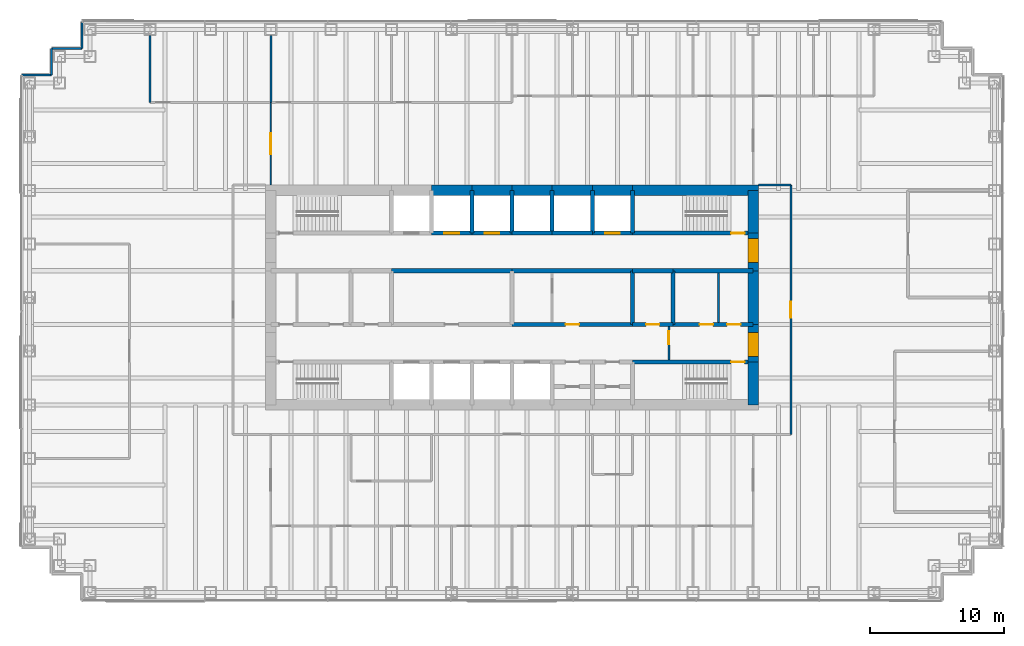
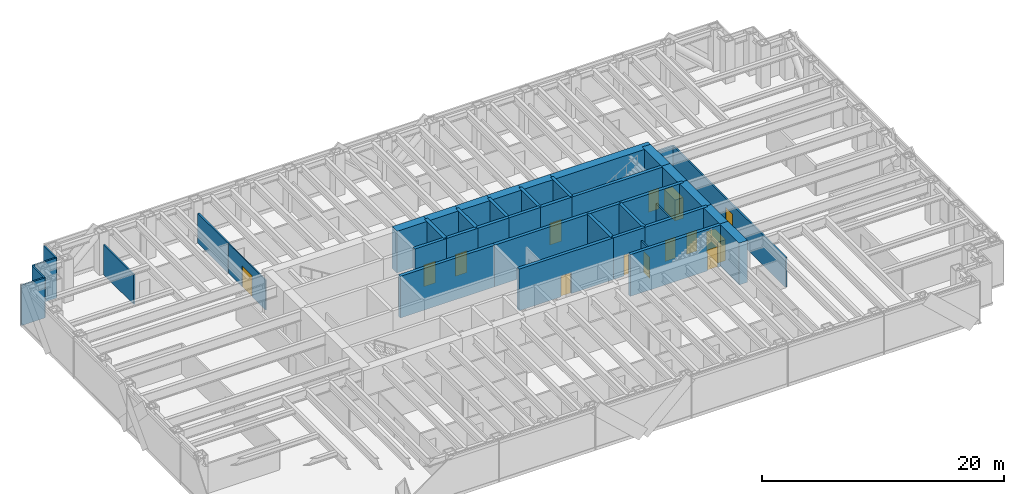
# One storey, part 12 of 15: 43 walls, 14 doors, 14 openings.
"""IFC4 building model written with IfcOpenShell, lengths in metres."""

from ifc_helpers import new_model, si_unit, direction, frame, frame_2d, origin, place, context, subcontext, project, spatial, rectangle, extrude, material, layer, layer_set, type_object, element, fill, save


model = new_model("IFC4")

# Units and contexts
model_context = context("Model", 3, precision=1e-05, world=origin(), true_north=direction((0.0, 1.0)))
body_context = subcontext(model_context, "Body", "Model", "MODEL_VIEW")
ifc_project = project(units=[si_unit("LENGTHUNIT", "METRE"), si_unit("AREAUNIT", "SQUARE_METRE"), si_unit("VOLUMEUNIT", "CUBIC_METRE"), si_unit("PLANEANGLEUNIT", "RADIAN"), si_unit("MASSUNIT", "GRAM", prefix="KILO")], contexts=[model_context])

# Site, building, storey
site_placement = place(None, origin())
site = spatial("IfcSite", under=ifc_project, at=site_placement, CompositionType="ELEMENT")
building_placement = place(site_placement, origin())
building = spatial("IfcBuilding", under=site, at=building_placement, Name="Rheinbord Bourse Tower", CompositionType="ELEMENT")
storey_placement = place(building_placement, frame((0.0, 0.0, 215.199951171875)))
storey = spatial("IfcBuildingStorey", under=building, at=storey_placement, Name="L48", CompositionType="ELEMENT", Elevation=215.199951171875)

# Wall, opening, door
ifc_material_1 = material(Name="Concrete C50/60", Category="concrete")
ifc_layer_1 = layer(ifc_material_1, 0.300048828125)
ifc_layer_set_1 = layer_set([ifc_layer_1], Name="CORE INNER WALL 300")
wall_type_1 = type_object("IfcWallType", Name="CORE INNER WALL 300", PredefinedType="SOLIDWALL", material=ifc_layer_set_1)
wall_1_placement = place(storey_placement, frame((45.0, 19.199951171875, 0.0), z_axis=(0.0, 0.0, 1.0), x_axis=(1.0, 0.0, 0.0)))
wall_1 = element("IfcWall", 1, at=wall_1_placement, inside=storey, type_object=wall_type_1, Name="Core wall A8 L48", PredefinedType="SOLIDWALL", context=body_context, shape_type="SweptSolid", body=[
    extrude(rectangle(XDim=9.0, YDim=0.300048828125, at=frame_2d((4.5, 0.0))), origin(), (0.0, 0.0, 1.0), 4.199951171875),
])
opening_1_placement = place(wall_1_placement, frame((7.35009765625, 0.0, 0.0)))
opening_1 = element("IfcOpeningElement", 2, at=opening_1_placement, cuts=wall_1, Name="Opening 4830", PredefinedType="OPENING", context=body_context, shape_type="SweptSolid", body=[
    extrude(rectangle(XDim=1.0, YDim=2.10009765625, at=frame_2d((0.5, 1.050048828125))), frame((0.0, 0.159912109375, 0.0), z_axis=(0.0, -1.0, 0.0), x_axis=(1.0, 0.0, 0.0)), (0.0, 0.0, 1.0), 0.320068359375),
])
ifc_material_2 = material(Name="Steel door", Category="steel")
door_type_1 = type_object("IfcDoorType", Name="DOOR 1000 EI30", OperationType="SINGLE_SWING_LEFT", PredefinedType="DOOR", material=ifc_material_2)
door_1_placement = place(opening_1_placement, origin())
door_1 = element("IfcDoor", 3, at=door_1_placement, inside=storey, type_object=door_type_1, Name="Stair door ST3 L48", OperationType="SINGLE_SWING_RIGHT", OverallHeight=2.10009765625, OverallWidth=1.0, PredefinedType="DOOR", context=body_context, shape_type="SweptSolid", body=[
    extrude(rectangle(XDim=1.0, YDim=2.10009765625, at=frame_2d((0.5, 1.050048828125))), frame((0.0, 0.02490234375, 0.0), z_axis=(0.0, -1.0, 0.0), x_axis=(1.0, 0.0, 0.0)), (0.0, 0.0, 1.0), 0.050048828125),
])
fill(opening_1, door_1)

wall_2_placement = place(storey_placement, frame((30.0, 28.800048828125, 0.0), z_axis=(0.0, 0.0, 1.0), x_axis=(1.0, 0.0, 0.0)))
wall_2 = element("IfcWall", 4, at=wall_2_placement, inside=storey, type_object=wall_type_1, Name="Core wall B3 L48", PredefinedType="SOLIDWALL", context=body_context, shape_type="SweptSolid", body=[
    extrude(rectangle(XDim=3.0, YDim=0.300048828125, at=frame_2d((1.5, 0.0))), origin(), (0.0, 0.0, 1.0), 4.199951171875),
])
opening_2_placement = place(wall_2_placement, frame((0.949951171875, 0.0, 0.0)))
opening_2 = element("IfcOpeningElement", 5, at=opening_2_placement, cuts=wall_2, Name="Opening PC4", PredefinedType="OPENING", context=body_context, shape_type="SweptSolid", body=[
    extrude(rectangle(XDim=1.10009765625, YDim=2.199951171875, at=frame_2d((0.550048828125, 1.10009765625))), frame((0.0, 0.159912109375, 0.0), z_axis=(0.0, -1.0, 0.0), x_axis=(1.0, 0.0, 0.0)), (0.0, 0.0, 1.0), 0.320068359375),
])
ifc_material_3 = material(Name="Steel landing door", Category="steel")
door_type_2 = type_object("IfcDoorType", Name="LIFT LANDING DOOR 1100", OperationType="DOUBLE_DOOR_SLIDING", PredefinedType="USERDEFINED", material=ifc_material_3)
door_2_placement = place(opening_2_placement, origin())
door_2 = element("IfcDoor", 6, at=door_2_placement, inside=storey, type_object=door_type_2, Name="Lift landing door PC4 L48", ObjectType="LIFT LANDING DOOR", OperationType="DOUBLE_DOOR_SLIDING", OverallHeight=2.199951171875, OverallWidth=1.10009765625, PredefinedType="USERDEFINED", context=body_context, shape_type="SweptSolid", body=[
    extrude(rectangle(XDim=1.10009765625, YDim=2.199951171875, at=frame_2d((0.550048828125, 1.10009765625))), frame((0.0, 0.02490234375, 0.0), z_axis=(0.0, -1.0, 0.0), x_axis=(1.0, 0.0, 0.0)), (0.0, 0.0, 1.0), 0.050048828125),
])
fill(opening_2, door_2)

wall_3_placement = place(storey_placement, frame((33.0, 28.800048828125, 0.0), z_axis=(0.0, 0.0, 1.0), x_axis=(1.0, 0.0, 0.0)))
wall_3 = element("IfcWall", 7, at=wall_3_placement, inside=storey, type_object=wall_type_1, Name="Core wall B4 L48", PredefinedType="SOLIDWALL", context=body_context, shape_type="SweptSolid", body=[
    extrude(rectangle(XDim=3.0, YDim=0.300048828125, at=frame_2d((1.5, 0.0))), origin(), (0.0, 0.0, 1.0), 4.199951171875),
])
opening_3_placement = place(wall_3_placement, frame((0.949951171875, 0.0, 0.0)))
opening_3 = element("IfcOpeningElement", 8, at=opening_3_placement, cuts=wall_3, Name="Opening PC5", PredefinedType="OPENING", context=body_context, shape_type="SweptSolid", body=[
    extrude(rectangle(XDim=1.10009765625, YDim=2.199951171875, at=frame_2d((0.550048828125, 1.10009765625))), frame((0.0, 0.159912109375, 0.0), z_axis=(0.0, -1.0, 0.0), x_axis=(1.0, 0.0, 0.0)), (0.0, 0.0, 1.0), 0.320068359375),
])
door_3_placement = place(opening_3_placement, origin())
door_3 = element("IfcDoor", 9, at=door_3_placement, inside=storey, type_object=door_type_2, Name="Lift landing door PC5 L48", ObjectType="LIFT LANDING DOOR", OperationType="DOUBLE_DOOR_SLIDING", OverallHeight=2.199951171875, OverallWidth=1.10009765625, PredefinedType="USERDEFINED", context=body_context, shape_type="SweptSolid", body=[
    extrude(rectangle(XDim=1.10009765625, YDim=2.199951171875, at=frame_2d((0.550048828125, 1.10009765625))), frame((0.0, 0.02490234375, 0.0), z_axis=(0.0, -1.0, 0.0), x_axis=(1.0, 0.0, 0.0)), (0.0, 0.0, 1.0), 0.050048828125),
])
fill(opening_3, door_3)

# Walls
for number, where, z_axis, x_axis, name in (
    (10, (36.0, 28.800048828125, 0.0), (0.0, 0.0, 1.0), (1.0, 0.0, 0.0), "Core wall B5 L48"),
    (11, (39.0, 28.800048828125, 0.0), (0.0, 0.0, 1.0), (1.0, 0.0, 0.0), "Core wall B6 L48"),
):
    element("IfcWall", number, at=place(storey_placement, frame(where, z_axis=z_axis, x_axis=x_axis)), inside=storey, type_object=wall_type_1, Name=name, PredefinedType="SOLIDWALL", context=body_context, shape_type="SweptSolid", body=[
        extrude(rectangle(XDim=3.0, YDim=0.300048828125, at=frame_2d((1.5, 0.0))), origin(), (0.0, 0.0, 1.0), 4.199951171875),
    ])

# Wall, opening, door
wall_4_placement = place(storey_placement, frame((42.0, 28.800048828125, 0.0), z_axis=(0.0, 0.0, 1.0), x_axis=(1.0, 0.0, 0.0)))
wall_4 = element("IfcWall", 12, at=wall_4_placement, inside=storey, type_object=wall_type_1, Name="Core wall B7 L48", PredefinedType="SOLIDWALL", context=body_context, shape_type="SweptSolid", body=[
    extrude(rectangle(XDim=3.0, YDim=0.300048828125, at=frame_2d((1.5, 0.0))), origin(), (0.0, 0.0, 1.0), 4.199951171875),
])
opening_4_placement = place(wall_4_placement, frame((0.949951171875, 0.0, 0.0)))
opening_4 = element("IfcOpeningElement", 13, at=opening_4_placement, cuts=wall_4, Name="Opening FL2", PredefinedType="OPENING", context=body_context, shape_type="SweptSolid", body=[
    extrude(rectangle(XDim=1.10009765625, YDim=2.199951171875, at=frame_2d((0.550048828125, 1.10009765625))), frame((0.0, 0.159912109375, 0.0), z_axis=(0.0, -1.0, 0.0), x_axis=(1.0, 0.0, 0.0)), (0.0, 0.0, 1.0), 0.320068359375),
])
door_4_placement = place(opening_4_placement, origin())
door_4 = element("IfcDoor", 14, at=door_4_placement, inside=storey, type_object=door_type_2, Name="Lift landing door FL2 L48", ObjectType="LIFT LANDING DOOR", OperationType="DOUBLE_DOOR_SLIDING", OverallHeight=2.199951171875, OverallWidth=1.10009765625, PredefinedType="USERDEFINED", context=body_context, shape_type="SweptSolid", body=[
    extrude(rectangle(XDim=1.10009765625, YDim=2.199951171875, at=frame_2d((0.550048828125, 1.10009765625))), frame((0.0, 0.02490234375, 0.0), z_axis=(0.0, -1.0, 0.0), x_axis=(1.0, 0.0, 0.0)), (0.0, 0.0, 1.0), 0.050048828125),
])
fill(opening_4, door_4)

wall_5_placement = place(storey_placement, frame((45.0, 28.800048828125, 0.0), z_axis=(0.0, 0.0, 1.0), x_axis=(1.0, 0.0, 0.0)))
wall_5 = element("IfcWall", 15, at=wall_5_placement, inside=storey, type_object=wall_type_1, Name="Core wall B8 L48", PredefinedType="SOLIDWALL", context=body_context, shape_type="SweptSolid", body=[
    extrude(rectangle(XDim=9.0, YDim=0.300048828125, at=frame_2d((4.5, 0.0))), origin(), (0.0, 0.0, 1.0), 4.199951171875),
])
opening_5_placement = place(wall_5_placement, frame((7.35009765625, 0.0, 0.0)))
opening_5 = element("IfcOpeningElement", 16, at=opening_5_placement, cuts=wall_5, Name="Opening 4840", PredefinedType="OPENING", context=body_context, shape_type="SweptSolid", body=[
    extrude(rectangle(XDim=1.0, YDim=2.10009765625, at=frame_2d((0.5, 1.050048828125))), frame((0.0, 0.159912109375, 0.0), z_axis=(0.0, -1.0, 0.0), x_axis=(1.0, 0.0, 0.0)), (0.0, 0.0, 1.0), 0.320068359375),
])
door_5_placement = place(opening_5_placement, origin())
door_5 = element("IfcDoor", 17, at=door_5_placement, inside=storey, type_object=door_type_1, Name="Stair door ST4 L48", OperationType="SINGLE_SWING_RIGHT", OverallHeight=2.10009765625, OverallWidth=1.0, PredefinedType="DOOR", context=body_context, shape_type="SweptSolid", body=[
    extrude(rectangle(XDim=1.0, YDim=2.10009765625, at=frame_2d((0.5, 1.050048828125))), frame((0.0, 0.02490234375, 0.0), z_axis=(0.0, -1.0, 0.0), x_axis=(1.0, 0.0, 0.0)), (0.0, 0.0, 1.0), 0.050048828125),
])
fill(opening_5, door_5)

wall_6_placement = place(storey_placement, frame((36.0, 22.0, 0.0), z_axis=(0.0, 0.0, 1.0), x_axis=(1.0, 0.0, 0.0)))
wall_6 = element("IfcWall", 18, at=wall_6_placement, inside=storey, type_object=wall_type_1, Name="Core wall C4 L48", PredefinedType="SOLIDWALL", context=body_context, shape_type="SweptSolid", body=[
    extrude(rectangle(XDim=9.0, YDim=0.300048828125, at=frame_2d((4.5, 0.0))), origin(), (0.0, 0.0, 1.0), 4.199951171875),
])
opening_6_placement = place(wall_6_placement, frame((4.0, 0.0, 0.0)))
opening_6 = element("IfcOpeningElement", 19, at=opening_6_placement, cuts=wall_6, Name="Opening 48R4", PredefinedType="OPENING", context=body_context, shape_type="SweptSolid", body=[
    extrude(rectangle(XDim=1.0, YDim=2.10009765625, at=frame_2d((0.5, 1.050048828125))), frame((0.0, 0.159912109375, 0.0), z_axis=(0.0, -1.0, 0.0), x_axis=(1.0, 0.0, 0.0)), (0.0, 0.0, 1.0), 0.320068359375),
])
door_6_placement = place(opening_6_placement, origin())
door_6 = element("IfcDoor", 20, at=door_6_placement, inside=storey, type_object=door_type_1, Name="Pantry door L48", OperationType="SINGLE_SWING_LEFT", OverallHeight=2.10009765625, OverallWidth=1.0, PredefinedType="DOOR", context=body_context, shape_type="SweptSolid", body=[
    extrude(rectangle(XDim=1.0, YDim=2.10009765625, at=frame_2d((0.5, 1.050048828125))), frame((0.0, 0.02490234375, 0.0), z_axis=(0.0, -1.0, 0.0), x_axis=(1.0, 0.0, 0.0)), (0.0, 0.0, 1.0), 0.050048828125),
])
fill(opening_6, door_6)

wall_7_placement = place(storey_placement, frame((45.0, 22.0, 0.0), z_axis=(0.0, 0.0, 1.0), x_axis=(1.0, 0.0, 0.0)))
wall_7 = element("IfcWall", 21, at=wall_7_placement, inside=storey, type_object=wall_type_1, Name="Core wall C5 L48", PredefinedType="SOLIDWALL", context=body_context, shape_type="SweptSolid", body=[
    extrude(rectangle(XDim=3.0, YDim=0.300048828125, at=frame_2d((1.5, 0.0))), origin(), (0.0, 0.0, 1.0), 4.199951171875),
])
opening_7_placement = place(wall_7_placement, frame((1.0, 0.0, 0.0)))
opening_7 = element("IfcOpeningElement", 22, at=opening_7_placement, cuts=wall_7, Name="Opening 48R5", PredefinedType="OPENING", context=body_context, shape_type="SweptSolid", body=[
    extrude(rectangle(XDim=1.0, YDim=2.10009765625, at=frame_2d((0.5, 1.050048828125))), frame((0.0, 0.159912109375, 0.0), z_axis=(0.0, -1.0, 0.0), x_axis=(1.0, 0.0, 0.0)), (0.0, 0.0, 1.0), 0.320068359375),
])
ifc_material_4 = material(Name="Timber door", Category="wood")
door_type_3 = type_object("IfcDoorType", Name="DOOR 1000 WC", OperationType="SINGLE_SWING_LEFT", PredefinedType="DOOR", material=ifc_material_4)
door_7_placement = place(opening_7_placement, origin())
door_7 = element("IfcDoor", 23, at=door_7_placement, inside=storey, type_object=door_type_3, Name="Accessible WC door L48", OperationType="SINGLE_SWING_LEFT", OverallHeight=2.10009765625, OverallWidth=1.0, PredefinedType="DOOR", context=body_context, shape_type="SweptSolid", body=[
    extrude(rectangle(XDim=1.0, YDim=2.10009765625, at=frame_2d((0.5, 1.050048828125))), frame((0.0, 0.02490234375, 0.0), z_axis=(0.0, -1.0, 0.0), x_axis=(1.0, 0.0, 0.0)), (0.0, 0.0, 1.0), 0.050048828125),
])
fill(opening_7, door_7)

# Wall, openings, doors
wall_8_placement = place(storey_placement, frame((48.0, 22.0, 0.0), z_axis=(0.0, 0.0, 1.0), x_axis=(1.0, 0.0, 0.0)))
wall_8 = element("IfcWall", 24, at=wall_8_placement, inside=storey, type_object=wall_type_1, Name="Core wall C6 L48", PredefinedType="SOLIDWALL", context=body_context, shape_type="SweptSolid", body=[
    extrude(rectangle(XDim=6.0, YDim=0.300048828125, at=frame_2d((3.0, 0.0))), origin(), (0.0, 0.0, 1.0), 4.199951171875),
])
opening_8_placement = place(wall_8_placement, frame((2.0, 0.0, 0.0)))
opening_8 = element("IfcOpeningElement", 25, at=opening_8_placement, cuts=wall_8, Name="Opening 48R6", PredefinedType="OPENING", context=body_context, shape_type="SweptSolid", body=[
    extrude(rectangle(XDim=1.0, YDim=2.10009765625, at=frame_2d((0.5, 1.050048828125))), frame((0.0, 0.159912109375, 0.0), z_axis=(0.0, -1.0, 0.0), x_axis=(1.0, 0.0, 0.0)), (0.0, 0.0, 1.0), 0.320068359375),
])
opening_9_placement = place(wall_8_placement, frame((4.050048828125, 0.0, 0.0)))
opening_9 = element("IfcOpeningElement", 26, at=opening_9_placement, cuts=wall_8, Name="Opening 48R10", PredefinedType="OPENING", context=body_context, shape_type="SweptSolid", body=[
    extrude(rectangle(XDim=1.0, YDim=2.10009765625, at=frame_2d((0.5, 1.050048828125))), frame((0.0, 0.159912109375, 0.0), z_axis=(0.0, -1.0, 0.0), x_axis=(1.0, 0.0, 0.0)), (0.0, 0.0, 1.0), 0.320068359375),
])
door_8_placement = place(opening_9_placement, origin())
door_8 = element("IfcDoor", 27, at=door_8_placement, inside=storey, type_object=door_type_1, Name="Staff shower door L48", OperationType="SINGLE_SWING_RIGHT", OverallHeight=2.10009765625, OverallWidth=1.0, PredefinedType="DOOR", context=body_context, shape_type="SweptSolid", body=[
    extrude(rectangle(XDim=1.0, YDim=2.10009765625, at=frame_2d((0.5, 1.050048828125))), frame((0.0, 0.02490234375, 0.0), z_axis=(0.0, -1.0, 0.0), x_axis=(1.0, 0.0, 0.0)), (0.0, 0.0, 1.0), 0.050048828125),
])
fill(opening_9, door_8)
door_9_placement = place(opening_8_placement, origin())
door_9 = element("IfcDoor", 28, at=door_9_placement, inside=storey, type_object=door_type_3, Name="WC women door L48", OperationType="SINGLE_SWING_LEFT", OverallHeight=2.10009765625, OverallWidth=1.0, PredefinedType="DOOR", context=body_context, shape_type="SweptSolid", body=[
    extrude(rectangle(XDim=1.0, YDim=2.10009765625, at=frame_2d((0.5, 1.050048828125))), frame((0.0, 0.02490234375, 0.0), z_axis=(0.0, -1.0, 0.0), x_axis=(1.0, 0.0, 0.0)), (0.0, 0.0, 1.0), 0.050048828125),
])
fill(opening_8, door_9)

# Walls
for number, where, z_axis, x_axis, name in (
    (29, (27.0, 26.0, 0.0), (0.0, 0.0, 1.0), (1.0, 0.0, 0.0), "Core wall D3 L48"),
    (30, (36.0, 26.0, 0.0), (0.0, 0.0, 1.0), (1.0, 0.0, 0.0), "Core wall D4 L48"),
):
    element("IfcWall", number, at=place(storey_placement, frame(where, z_axis=z_axis, x_axis=x_axis)), inside=storey, type_object=wall_type_1, Name=name, PredefinedType="SOLIDWALL", context=body_context, shape_type="SweptSolid", body=[
        extrude(rectangle(XDim=9.0, YDim=0.300048828125, at=frame_2d((4.5, 0.0))), origin(), (0.0, 0.0, 1.0), 4.199951171875),
    ])
wall_9_placement = place(storey_placement, frame((45.0, 26.0, 0.0), z_axis=(0.0, 0.0, 1.0), x_axis=(1.0, 0.0, 0.0)))
element("IfcWall", 31, at=wall_9_placement, inside=storey, type_object=wall_type_1, Name="Core wall D5 L48", PredefinedType="SOLIDWALL", context=body_context, shape_type="SweptSolid", body=[
    extrude(rectangle(XDim=3.0, YDim=0.300048828125, at=frame_2d((1.5, 0.0))), origin(), (0.0, 0.0, 1.0), 4.199951171875),
])
wall_10_placement = place(storey_placement, frame((48.0, 26.0, 0.0), z_axis=(0.0, 0.0, 1.0), x_axis=(1.0, 0.0, 0.0)))
element("IfcWall", 32, at=wall_10_placement, inside=storey, type_object=wall_type_1, Name="Core wall D6 L48", PredefinedType="SOLIDWALL", context=body_context, shape_type="SweptSolid", body=[
    extrude(rectangle(XDim=6.0, YDim=0.300048828125, at=frame_2d((3.0, 0.0))), origin(), (0.0, 0.0, 1.0), 4.199951171875),
])
for number, where, z_axis, x_axis, name in (
    (33, (33.0, 28.800048828125, 0.0), (0.0, 0.0, 1.0), (0.0, 1.0, 0.0), "Core wall NX33 L48"),
    (34, (36.0, 28.800048828125, 0.0), (0.0, 0.0, 1.0), (0.0, 1.0, 0.0), "Core wall NX36 L48"),
    (35, (39.0, 28.800048828125, 0.0), (0.0, 0.0, 1.0), (0.0, 1.0, 0.0), "Core wall NX39 L48"),
    (36, (42.0, 28.800048828125, 0.0), (0.0, 0.0, 1.0), (0.0, 1.0, 0.0), "Core wall NX42 L48"),
    (37, (45.0, 28.800048828125, 0.0), (0.0, 0.0, 1.0), (0.0, 1.0, 0.0), "Core wall NX45 L48"),
):
    element("IfcWall", number, at=place(storey_placement, frame(where, z_axis=z_axis, x_axis=x_axis)), inside=storey, type_object=wall_type_1, Name=name, PredefinedType="SOLIDWALL", context=body_context, shape_type="SweptSolid", body=[
        extrude(rectangle(XDim=3.199951171875, YDim=0.300048828125, at=frame_2d((1.60009765625, 0.0))), origin(), (0.0, 0.0, 1.0), 4.199951171875),
    ])
for number, where, z_axis, x_axis, name in (
    (38, (45.0, 22.0, 0.0), (0.0, 0.0, 1.0), (0.0, 1.0, 0.0), "Core wall MX45 L48"),
    (39, (48.0, 22.0, 0.0), (0.0, 0.0, 1.0), (0.0, 1.0, 0.0), "Core wall MX48 L48"),
):
    element("IfcWall", number, at=place(storey_placement, frame(where, z_axis=z_axis, x_axis=x_axis)), inside=storey, type_object=wall_type_1, Name=name, PredefinedType="SOLIDWALL", context=body_context, shape_type="SweptSolid", body=[
        extrude(rectangle(XDim=4.0, YDim=0.300048828125, at=frame_2d((2.0, 0.0))), origin(), (0.0, 0.0, 1.0), 4.199951171875),
    ])
ifc_material_5 = material(Name="Gypsum board fire partition", Category="gypsum board")
ifc_layer_2 = layer(ifc_material_5, 0.14990234375)
ifc_layer_set_2 = layer_set([ifc_layer_2], Name="CORE PARTITION 150 EI30")
wall_type_2 = type_object("IfcWallType", Name="CORE PARTITION 150 EI30", PredefinedType="PARTITIONING", material=ifc_layer_set_2)
wall_11_placement = place(storey_placement, frame((51.425048828125, 22.14990234375, 0.0), z_axis=(0.0, 0.0, 1.0), x_axis=(0.0, 1.0, 0.0)))
element("IfcWall", 40, at=wall_11_placement, inside=storey, type_object=wall_type_2, Name="Core partition L48-3", PredefinedType="PARTITIONING", context=body_context, shape_type="SweptSolid", body=[
    extrude(rectangle(XDim=3.7001953125, YDim=0.14990234375, at=frame_2d((1.85009765625, 0.0))), origin(), (0.0, 0.0, 1.0), 3.0),
])

# Wall, opening, door
wall_12_placement = place(storey_placement, frame((47.699951171875, 19.35009765625, 0.0), z_axis=(0.0, 0.0, 1.0), x_axis=(0.0, 1.0, 0.0)))
wall_12 = element("IfcWall", 41, at=wall_12_placement, inside=storey, type_object=wall_type_2, Name="Core partition L48-4", PredefinedType="PARTITIONING", context=body_context, shape_type="SweptSolid", body=[
    extrude(rectangle(XDim=2.5, YDim=0.14990234375, at=frame_2d((1.25, 0.0))), origin(), (0.0, 0.0, 1.0), 3.0),
])
opening_10_placement = place(wall_12_placement, frame((1.14990234375, 0.0, 0.0)))
opening_10 = element("IfcOpeningElement", 42, at=opening_10_placement, cuts=wall_12, Name="Opening 48L5", PredefinedType="OPENING", context=body_context, shape_type="SweptSolid", body=[
    extrude(rectangle(XDim=1.0, YDim=2.10009765625, at=frame_2d((0.5, 1.050048828125))), frame((0.0, 0.0849609375, 0.0), z_axis=(0.0, -1.0, 0.0), x_axis=(1.0, 0.0, 0.0)), (0.0, 0.0, 1.0), 0.169921875),
])
door_10_placement = place(opening_10_placement, origin())
door_10 = element("IfcDoor", 43, at=door_10_placement, inside=storey, type_object=door_type_1, Name="Stair lobby door L48", OperationType="SINGLE_SWING_RIGHT", OverallHeight=2.10009765625, OverallWidth=1.0, PredefinedType="DOOR", context=body_context, shape_type="SweptSolid", body=[
    extrude(rectangle(XDim=1.0, YDim=2.10009765625, at=frame_2d((0.5, 1.050048828125))), frame((0.0, 0.02490234375, 0.0), z_axis=(0.0, -1.0, 0.0), x_axis=(1.0, 0.0, 0.0)), (0.0, 0.0, 1.0), 0.050048828125),
])
fill(opening_10, door_10)

# Walls
ifc_material_6 = material(Name="Concrete C50/60", Category="concrete")
ifc_layer_3 = layer(ifc_material_6, 0.800048828125)
ifc_layer_set_3 = layer_set([ifc_layer_3], Name="CORE WALL 800")
wall_type_3 = type_object("IfcWallType", Name="CORE WALL 800", PredefinedType="SHEAR", material=ifc_layer_set_3)
wall_13_placement = place(storey_placement, frame((54.39990234375, 32.0, 0.0), z_axis=(0.0, 0.0, 1.0), x_axis=(-1.0, 0.0, 0.0)))
element("IfcWall", 44, at=wall_13_placement, inside=storey, type_object=wall_type_3, Name="Core wall N1 L48", PredefinedType="SHEAR", context=body_context, shape_type="SweptSolid", body=[
    extrude(rectangle(XDim=9.39990234375, YDim=0.800048828125, at=frame_2d((4.699951171875, 0.0))), origin(), (0.0, 0.0, 1.0), 4.199951171875),
])
for number, where, z_axis, x_axis, name in (
    (45, (45.0, 32.0, 0.0), (0.0, 0.0, 1.0), (-1.0, 0.0, 0.0), "Core wall N2 L48"),
    (46, (42.0, 32.0, 0.0), (0.0, 0.0, 1.0), (-1.0, 0.0, 0.0), "Core wall N3 L48"),
    (47, (39.0, 32.0, 0.0), (0.0, 0.0, 1.0), (-1.0, 0.0, 0.0), "Core wall N4 L48"),
    (48, (36.0, 32.0, 0.0), (0.0, 0.0, 1.0), (-1.0, 0.0, 0.0), "Core wall N5 L48"),
    (49, (33.0, 32.0, 0.0), (0.0, 0.0, 1.0), (-1.0, 0.0, 0.0), "Core wall N6 L48"),
):
    element("IfcWall", number, at=place(storey_placement, frame(where, z_axis=z_axis, x_axis=x_axis)), inside=storey, type_object=wall_type_3, Name=name, PredefinedType="SHEAR", context=body_context, shape_type="SweptSolid", body=[
        extrude(rectangle(XDim=3.0, YDim=0.800048828125, at=frame_2d((1.5, 0.0))), origin(), (0.0, 0.0, 1.0), 4.199951171875),
    ])
wall_14_placement = place(storey_placement, frame((54.0, 16.0, 0.0), z_axis=(0.0, 0.0, 1.0), x_axis=(0.0, 1.0, 0.0)))
element("IfcWall", 50, at=wall_14_placement, inside=storey, type_object=wall_type_3, Name="Core wall E1 L48", PredefinedType="SHEAR", context=body_context, shape_type="SweptSolid", body=[
    extrude(rectangle(XDim=3.199951171875, YDim=0.800048828125, at=frame_2d((1.60009765625, 0.0))), origin(), (0.0, 0.0, 1.0), 4.199951171875),
])

# Wall, opening, door
wall_15_placement = place(storey_placement, frame((54.0, 19.199951171875, 0.0), z_axis=(0.0, 0.0, 1.0), x_axis=(0.0, 1.0, 0.0)))
wall_15 = element("IfcWall", 51, at=wall_15_placement, inside=storey, type_object=wall_type_3, Name="Core wall E2 L48", PredefinedType="SHEAR", context=body_context, shape_type="SweptSolid", body=[
    extrude(rectangle(XDim=2.800048828125, YDim=0.800048828125, at=frame_2d((1.39990234375, 0.0))), origin(), (0.0, 0.0, 1.0), 4.199951171875),
])
opening_11_placement = place(wall_15_placement, frame((0.39990234375, 0.0, 0.0)))
opening_11 = element("IfcOpeningElement", 52, at=opening_11_placement, cuts=wall_15, Name="Opening 48L3", PredefinedType="OPENING", context=body_context, shape_type="SweptSolid", body=[
    extrude(rectangle(XDim=1.800048828125, YDim=2.10009765625, at=frame_2d((0.89990234375, 1.050048828125))), frame((0.0, 0.409912109375, 0.0), z_axis=(0.0, -1.0, 0.0), x_axis=(1.0, 0.0, 0.0)), (0.0, 0.0, 1.0), 0.820068359375),
])
ifc_material_7 = material(Name="Steel door", Category="steel")
door_type_4 = type_object("IfcDoorType", Name="DOOR 1800 EI30 DOUBLE", OperationType="DOUBLE_DOOR_DOUBLE_SWING", PredefinedType="DOOR", material=ifc_material_7)
door_11_placement = place(opening_11_placement, origin())
door_11 = element("IfcDoor", 53, at=door_11_placement, inside=storey, type_object=door_type_4, Name="Lobby door 3 L48", OperationType="SINGLE_SWING_LEFT", OverallHeight=2.10009765625, OverallWidth=1.800048828125, PredefinedType="DOOR", context=body_context, shape_type="SweptSolid", body=[
    extrude(rectangle(XDim=1.800048828125, YDim=2.10009765625, at=frame_2d((0.89990234375, 1.050048828125))), frame((0.0, 0.39990234375, 0.0), z_axis=(0.0, -1.0, 0.0), x_axis=(1.0, 0.0, 0.0)), (0.0, 0.0, 1.0), 0.799560546875),
])
fill(opening_11, door_11)

# Wall
wall_16_placement = place(storey_placement, frame((54.0, 22.0, 0.0), z_axis=(0.0, 0.0, 1.0), x_axis=(0.0, 1.0, 0.0)))
element("IfcWall", 54, at=wall_16_placement, inside=storey, type_object=wall_type_3, Name="Core wall E3 L48", PredefinedType="SHEAR", context=body_context, shape_type="SweptSolid", body=[
    extrude(rectangle(XDim=4.0, YDim=0.800048828125, at=frame_2d((2.0, 0.0))), origin(), (0.0, 0.0, 1.0), 4.199951171875),
])

# Wall, opening, door
wall_17_placement = place(storey_placement, frame((54.0, 26.0, 0.0), z_axis=(0.0, 0.0, 1.0), x_axis=(0.0, 1.0, 0.0)))
wall_17 = element("IfcWall", 55, at=wall_17_placement, inside=storey, type_object=wall_type_3, Name="Core wall E4 L48", PredefinedType="SHEAR", context=body_context, shape_type="SweptSolid", body=[
    extrude(rectangle(XDim=2.800048828125, YDim=0.800048828125, at=frame_2d((1.39990234375, 0.0))), origin(), (0.0, 0.0, 1.0), 4.199951171875),
])
opening_12_placement = place(wall_17_placement, frame((0.60009765625, 0.0, 0.0)))
opening_12 = element("IfcOpeningElement", 56, at=opening_12_placement, cuts=wall_17, Name="Opening 48L4", PredefinedType="OPENING", context=body_context, shape_type="SweptSolid", body=[
    extrude(rectangle(XDim=1.800048828125, YDim=2.10009765625, at=frame_2d((0.89990234375, 1.050048828125))), frame((0.0, 0.409912109375, 0.0), z_axis=(0.0, -1.0, 0.0), x_axis=(1.0, 0.0, 0.0)), (0.0, 0.0, 1.0), 0.820068359375),
])
door_12_placement = place(opening_12_placement, origin())
door_12 = element("IfcDoor", 57, at=door_12_placement, inside=storey, type_object=door_type_4, Name="Lobby door 4 L48", OperationType="SINGLE_SWING_LEFT", OverallHeight=2.10009765625, OverallWidth=1.800048828125, PredefinedType="DOOR", context=body_context, shape_type="SweptSolid", body=[
    extrude(rectangle(XDim=1.800048828125, YDim=2.10009765625, at=frame_2d((0.89990234375, 1.050048828125))), frame((0.0, 0.39990234375, 0.0), z_axis=(0.0, -1.0, 0.0), x_axis=(1.0, 0.0, 0.0)), (0.0, 0.0, 1.0), 0.799560546875),
])
fill(opening_12, door_12)

# Walls
wall_18_placement = place(storey_placement, frame((54.0, 28.800048828125, 0.0), z_axis=(0.0, 0.0, 1.0), x_axis=(0.0, 1.0, 0.0)))
element("IfcWall", 58, at=wall_18_placement, inside=storey, type_object=wall_type_3, Name="Core wall E5 L48", PredefinedType="SHEAR", context=body_context, shape_type="SweptSolid", body=[
    extrude(rectangle(XDim=3.199951171875, YDim=0.800048828125, at=frame_2d((1.60009765625, 0.0))), origin(), (0.0, 0.0, 1.0), 4.199951171875),
])
ifc_material_8 = material(Name="Black metal rainscreen panel", Category="aluminium")
ifc_layer_4 = layer(ifc_material_8, 0.14990234375)
ifc_layer_set_4 = layer_set([ifc_layer_4], Name="CORNER PIER CLADDING 150")
wall_type_4 = type_object("IfcWallType", Name="CORNER PIER CLADDING 150", PredefinedType="ELEMENTEDWALL", material=ifc_layer_set_4)
wall_19_placement = place(storey_placement, frame((3.89990234375, 44.60009765625, 0.0), z_axis=(0.0, 0.0, 1.0), x_axis=(0.0, -1.0, 0.0)))
element("IfcWall", 59, at=wall_19_placement, inside=storey, type_object=wall_type_4, Name="Corner pier cladding L48 12", PredefinedType="ELEMENTEDWALL", context=body_context, shape_type="SweptSolid", body=[
    extrude(rectangle(XDim=2.0, YDim=0.14990234375, at=frame_2d((1.0, 0.0))), origin(), (0.0, 0.0, 1.0), 4.0400390625),
])
wall_20_placement = place(storey_placement, frame((3.89990234375, 42.60009765625, 0.0), z_axis=(0.0, 0.0, 1.0), x_axis=(-1.0, 0.0, 0.0)))
element("IfcWall", 60, at=wall_20_placement, inside=storey, type_object=wall_type_4, Name="Corner pier cladding L48 13", PredefinedType="ELEMENTEDWALL", context=body_context, shape_type="SweptSolid", body=[
    extrude(rectangle(XDim=2.25, YDim=0.14990234375, at=frame_2d((1.125, 0.0))), origin(), (0.0, 0.0, 1.0), 4.0400390625),
])
wall_21_placement = place(storey_placement, frame((1.64990234375, 42.60009765625, 0.0), z_axis=(0.0, 0.0, 1.0), x_axis=(0.0, -1.0, 0.0)))
element("IfcWall", 61, at=wall_21_placement, inside=storey, type_object=wall_type_4, Name="Corner pier cladding L48 14", PredefinedType="ELEMENTEDWALL", context=body_context, shape_type="SweptSolid", body=[
    extrude(rectangle(XDim=2.0, YDim=0.14990234375, at=frame_2d((1.0, 0.0))), origin(), (0.0, 0.0, 1.0), 4.0400390625),
])
wall_22_placement = place(storey_placement, frame((1.64990234375, 40.60009765625, 0.0), z_axis=(0.0, 0.0, 1.0), x_axis=(-1.0, 0.0, 0.0)))
element("IfcWall", 62, at=wall_22_placement, inside=storey, type_object=wall_type_4, Name="Corner pier cladding L48 15", PredefinedType="ELEMENTEDWALL", context=body_context, shape_type="SweptSolid", body=[
    extrude(rectangle(XDim=2.25, YDim=0.14990234375, at=frame_2d((1.125, 0.0))), origin(), (0.0, 0.0, 1.0), 4.0400390625),
])
ifc_material_9 = material(Name="Gypsum board corridor partition", Category="gypsum board")
ifc_layer_5 = layer(ifc_material_9, 0.14990234375)
ifc_layer_set_5 = layer_set([ifc_layer_5], Name="CORRIDOR PARTITION 150 EI30")
wall_type_5 = type_object("IfcWallType", Name="CORRIDOR PARTITION 150 EI30", PredefinedType="PARTITIONING", material=ifc_layer_set_5)
wall_23_placement = place(storey_placement, frame((54.39990234375, 32.39990234375, 0.0), z_axis=(0.0, 0.0, 1.0), x_axis=(1.0, 0.0, 0.0)))
element("IfcWall", 63, at=wall_23_placement, inside=storey, type_object=wall_type_5, Name="Partition L48-14", PredefinedType="PARTITIONING", context=body_context, shape_type="SweptSolid", body=[
    extrude(rectangle(XDim=2.400146484375, YDim=0.14990234375, at=frame_2d((1.2001953125, 0.0))), origin(), (0.0, 0.0, 1.0), 3.0),
])

# Wall, opening, door
wall_24_placement = place(storey_placement, frame((56.800048828125, 13.800048828125, 0.0), z_axis=(0.0, 0.0, 1.0), x_axis=(0.0, 1.0, 0.0)))
wall_24 = element("IfcWall", 64, at=wall_24_placement, inside=storey, type_object=wall_type_5, Name="Partition L48-44", PredefinedType="PARTITIONING", context=body_context, shape_type="SweptSolid", body=[
    extrude(rectangle(XDim=18.599853515625, YDim=0.14990234375, at=frame_2d((9.2998046875, 0.0))), origin(), (0.0, 0.0, 1.0), 3.0),
])
opening_13_placement = place(wall_24_placement, frame((8.699951171875, 0.0, 0.0)))
opening_13 = element("IfcOpeningElement", 65, at=opening_13_placement, cuts=wall_24, Name="Opening 48D28", PredefinedType="OPENING", context=body_context, shape_type="SweptSolid", body=[
    extrude(rectangle(XDim=1.199951171875, YDim=2.10009765625, at=frame_2d((0.60009765625, 1.050048828125))), frame((0.0, 0.0849609375, 0.0), z_axis=(0.0, -1.0, 0.0), x_axis=(1.0, 0.0, 0.0)), (0.0, 0.0, 1.0), 0.169921875),
])
ifc_material_10 = material(Name="Timber fire door", Category="wood")
door_type_5 = type_object("IfcDoorType", Name="SUITE ENTRANCE DOOR 1200 EI30", OperationType="SINGLE_SWING_LEFT", PredefinedType="DOOR", material=ifc_material_10)
door_13_placement = place(opening_13_placement, origin())
door_13 = element("IfcDoor", 66, at=door_13_placement, inside=storey, type_object=door_type_5, Name="Suite entrance 2 door L48", OperationType="SINGLE_SWING_LEFT", OverallHeight=2.10009765625, OverallWidth=1.199951171875, PredefinedType="DOOR", context=body_context, shape_type="SweptSolid", body=[
    extrude(rectangle(XDim=1.199951171875, YDim=2.10009765625, at=frame_2d((0.60009765625, 1.050048828125))), frame((0.0, 0.02490234375, 0.0), z_axis=(0.0, -1.0, 0.0), x_axis=(1.0, 0.0, 0.0)), (0.0, 0.0, 1.0), 0.050048828125),
])
fill(opening_13, door_13)

ifc_material_11 = material(Name="Toughened laminated glass partition", Category="glass")
ifc_layer_6 = layer(ifc_material_11, 0.10009765625)
ifc_layer_set_6 = layer_set([ifc_layer_6], Name="GLAZED PARTITION 100")
wall_type_6 = type_object("IfcWallType", Name="GLAZED PARTITION 100", PredefinedType="PARTITIONING", material=ifc_layer_set_6)
wall_25_placement = place(storey_placement, frame((18.0, 32.39990234375, 0.0), z_axis=(0.0, 0.0, 1.0), x_axis=(0.0, 1.0, 0.0)))
wall_25 = element("IfcWall", 67, at=wall_25_placement, inside=storey, type_object=wall_type_6, Name="Partition L48-22", PredefinedType="PARTITIONING", context=body_context, shape_type="SweptSolid", body=[
    extrude(rectangle(XDim=6.150146484375, YDim=0.10009765625, at=frame_2d((3.0751953125, 0.0))), origin(), (0.0, 0.0, 1.0), 3.0),
])
opening_14_placement = place(wall_25_placement, frame((2.27490234375, 0.0, 0.0)))
opening_14 = element("IfcOpeningElement", 68, at=opening_14_placement, cuts=wall_25, Name="Opening 48D24", PredefinedType="OPENING", context=body_context, shape_type="SweptSolid", body=[
    extrude(rectangle(XDim=1.60009765625, YDim=2.10009765625, at=frame_2d((0.800048828125, 1.050048828125))), frame((0.0, 0.06005859375, 0.0), z_axis=(0.0, -1.0, 0.0), x_axis=(1.0, 0.0, 0.0)), (0.0, 0.0, 1.0), 0.1201171875),
])
ifc_material_12 = material(Name="Timber door", Category="wood")
door_type_6 = type_object("IfcDoorType", Name="DOUBLE ROOM DOOR 1600", OperationType="DOUBLE_DOOR_DOUBLE_SWING", PredefinedType="DOOR", material=ifc_material_12)
door_14_placement = place(opening_14_placement, origin())
door_14 = element("IfcDoor", 69, at=door_14_placement, inside=storey, type_object=door_type_6, Name="Open area door L48", OperationType="SINGLE_SWING_LEFT", OverallHeight=2.10009765625, OverallWidth=1.60009765625, PredefinedType="DOOR", context=body_context, shape_type="SweptSolid", body=[
    extrude(rectangle(XDim=1.60009765625, YDim=2.10009765625, at=frame_2d((0.800048828125, 1.050048828125))), frame((0.0, 0.02490234375, 0.0), z_axis=(0.0, -1.0, 0.0), x_axis=(1.0, 0.0, 0.0)), (0.0, 0.0, 1.0), 0.050048828125),
])
fill(opening_14, door_14)

# Walls
ifc_material_13 = material(Name="Gypsum board partition", Category="gypsum board")
ifc_layer_7 = layer(ifc_material_13, 0.14990234375)
ifc_layer_set_7 = layer_set([ifc_layer_7], Name="PARTITION 150")
wall_type_7 = type_object("IfcWallType", Name="PARTITION 150", PredefinedType="PARTITIONING", material=ifc_layer_set_7)
for number, where, z_axis, x_axis, name in (
    (70, (9.0, 38.550048828125, 0.0), (0.0, 0.0, 1.0), (0.0, 1.0, 0.0), "Partition L48-18"),
    (71, (18.0, 38.550048828125, 0.0), (0.0, 0.0, 1.0), (0.0, 1.0, 0.0), "Partition L48-23"),
):
    element("IfcWall", number, at=place(storey_placement, frame(where, z_axis=z_axis, x_axis=x_axis)), inside=storey, type_object=wall_type_7, Name=name, PredefinedType="PARTITIONING", context=body_context, shape_type="SweptSolid", body=[
        extrude(rectangle(XDim=5.0, YDim=0.14990234375, at=frame_2d((2.5, 0.0))), origin(), (0.0, 0.0, 1.0), 3.0),
    ])

save(model, "model.ifc")
